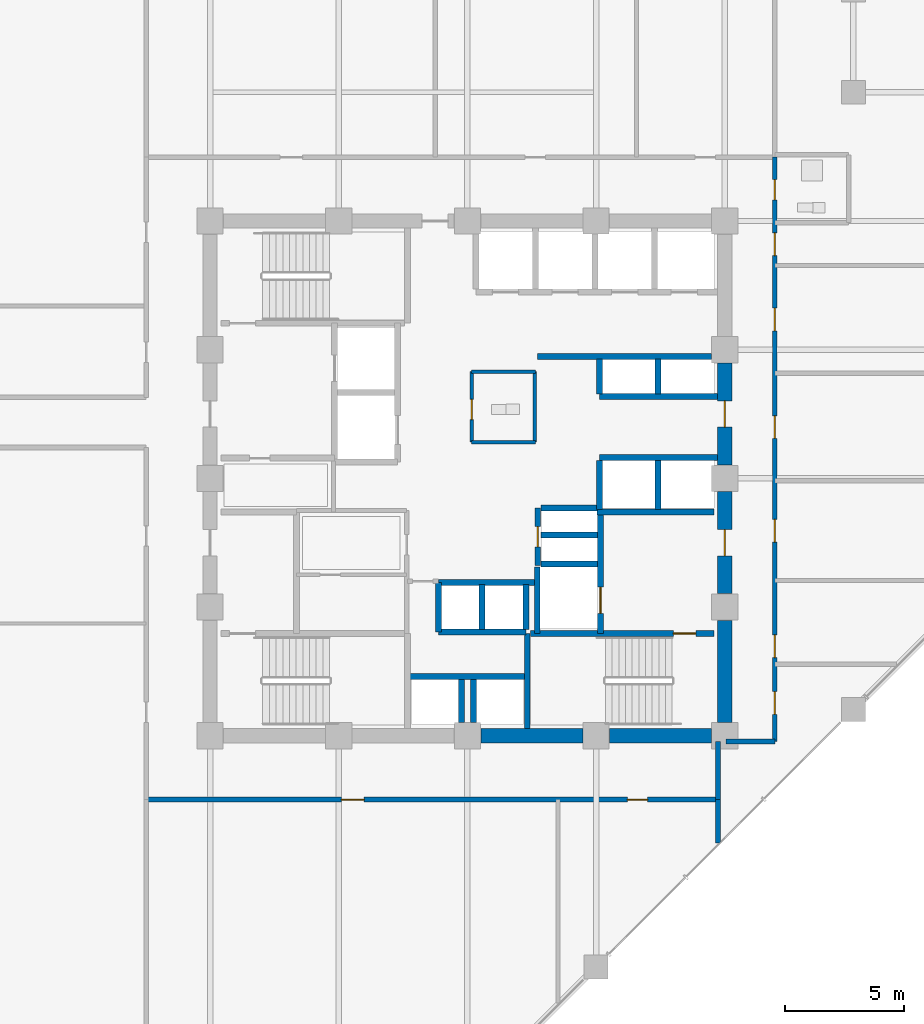
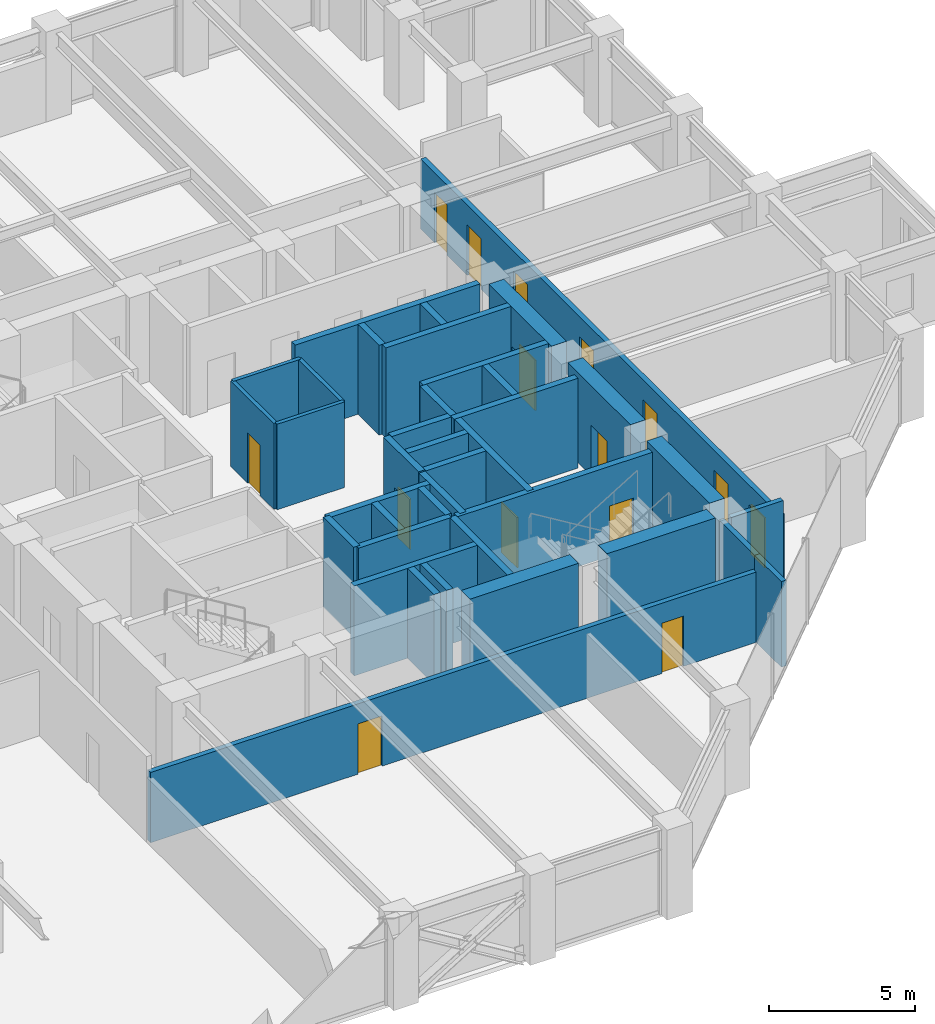
# One storey, part 20 of 26: 38 walls, 15 doors, 15 openings.
"""IFC4 building model written with IfcOpenShell, lengths in metres."""

from ifc_helpers import new_model, si_unit, direction, frame, frame_2d, origin, place, context, subcontext, project, spatial, rectangle, extrude, material, layer, layer_set, type_object, element, fill, save


model = new_model("IFC4")

# Units and contexts
model_context = context("Model", 3, precision=1e-05, world=origin(), true_north=direction((0.0, 1.0)))
body_context = subcontext(model_context, "Body", "Model", "MODEL_VIEW")
ifc_project = project(units=[si_unit("LENGTHUNIT", "METRE"), si_unit("AREAUNIT", "SQUARE_METRE"), si_unit("VOLUMEUNIT", "CUBIC_METRE"), si_unit("PLANEANGLEUNIT", "RADIAN"), si_unit("MASSUNIT", "GRAM", prefix="KILO")], contexts=[model_context])

# Site, building, storey
site_placement = place(None, origin())
site = spatial("IfcSite", under=ifc_project, at=site_placement, CompositionType="ELEMENT")
building_placement = place(site_placement, origin())
building = spatial("IfcBuilding", under=site, at=building_placement, Name="Surkhivell Harbour Commons", CompositionType="ELEMENT")
storey_placement = place(building_placement, frame((0.0, 0.0, 143.25)))
storey = spatial("IfcBuildingStorey", under=building, at=storey_placement, Name="L37", CompositionType="ELEMENT", Elevation=143.25)

# Wall
ifc_material_1 = material(Name="Concrete C60/75", Category="concrete")
ifc_layer_1 = layer(ifc_material_1, 0.60009765625)
ifc_layer_set_1 = layer_set([ifc_layer_1], Name="Concrete C60/75")
wall_type_1 = type_object("IfcWallType", Name="WAL-CORE-600", PredefinedType="SHEAR", material=ifc_layer_set_1)
wall_1_placement = place(storey_placement, frame((10.800048828125, -10.239990234375, 0.0), z_axis=(0.0, 0.0, 1.0), x_axis=(0.0, 1.0, 0.0)))
element("IfcWall", 1, at=wall_1_placement, inside=storey, type_object=wall_type_1, Name="L37 Core Shear Wall East 1", PredefinedType="SHEAR", context=body_context, shape_type="SweptSolid", body=[
    extrude(rectangle(XDim=4.280029296875, YDim=0.60009765625, at=frame_2d((2.14013671875, 0.0))), origin(), (0.0, 0.0, 1.0), 3.75),
])

# Wall, opening, door
wall_2_placement = place(storey_placement, frame((10.800048828125, -4.840087890625, 0.0), z_axis=(0.0, 0.0, 1.0), x_axis=(0.0, 1.0, 0.0)))
wall_2 = element("IfcWall", 2, at=wall_2_placement, inside=storey, type_object=wall_type_1, Name="L37 Core Shear Wall East 2", PredefinedType="SHEAR", context=body_context, shape_type="SweptSolid", body=[
    extrude(rectangle(XDim=4.280029296875, YDim=0.60009765625, at=frame_2d((2.14013671875, 0.0))), origin(), (0.0, 0.0, 1.0), 3.75),
])
opening_1_placement = place(wall_2_placement, frame((1.590087890625, 0.0, 0.0)))
opening_1 = element("IfcOpeningElement", 3, at=opening_1_placement, cuts=wall_2, Name="Opening ID-1", PredefinedType="OPENING", context=body_context, shape_type="SweptSolid", body=[
    extrude(rectangle(XDim=1.10009765625, YDim=2.10009765625, at=frame_2d((0.550048828125, 1.050048828125))), frame((0.0, 0.31005859375, 0.0), z_axis=(0.0, -1.0, 0.0), x_axis=(1.0, 0.0, 0.0)), (0.0, 0.0, 1.0), 0.6201171875),
])
ifc_material_2 = material(Name="Hardwood-veneered fire-rated door leaf", Category="wood")
door_type_1 = type_object("IfcDoorType", Name="DOR-FD120-1100", OperationType="NOTDEFINED", PredefinedType="DOOR", material=ifc_material_2)
door_1_placement = place(opening_1_placement, origin())
door_1 = element("IfcDoor", 4, at=door_1_placement, inside=storey, type_object=door_type_1, Name="L37 Firefighting Lobby 2 Corridor Door", OperationType="SINGLE_SWING_RIGHT", OverallHeight=2.10009765625, OverallWidth=1.10009765625, PredefinedType="DOOR", context=body_context, shape_type="SweptSolid", body=[
    extrude(rectangle(XDim=1.10009765625, YDim=2.10009765625, at=frame_2d((0.550048828125, 1.050048828125))), frame((0.0, 0.02490234375, 0.0), z_axis=(0.0, -1.0, 0.0), x_axis=(1.0, 0.0, 0.0)), (0.0, 0.0, 1.0), 0.050048828125),
])
fill(opening_1, door_1)

# Wall
wall_3_placement = place(storey_placement, frame((0.56005859375, -10.800048828125, 0.0), z_axis=(0.0, 0.0, 1.0), x_axis=(1.0, 0.0, 0.0)))
element("IfcWall", 5, at=wall_3_placement, inside=storey, type_object=wall_type_1, Name="L37 Core Shear Wall South 3", PredefinedType="SHEAR", context=body_context, shape_type="SweptSolid", body=[
    extrude(rectangle(XDim=4.280029296875, YDim=0.60009765625, at=frame_2d((2.14013671875, 0.0))), origin(), (0.0, 0.0, 1.0), 3.75),
])

# Wall, opening, door
wall_4_placement = place(storey_placement, frame((10.800048828125, 0.56005859375, 0.0), z_axis=(0.0, 0.0, 1.0), x_axis=(0.0, 1.0, 0.0)))
wall_4 = element("IfcWall", 6, at=wall_4_placement, inside=storey, type_object=wall_type_1, Name="L37 Core Shear Wall East 3", PredefinedType="SHEAR", context=body_context, shape_type="SweptSolid", body=[
    extrude(rectangle(XDim=4.280029296875, YDim=0.60009765625, at=frame_2d((2.14013671875, 0.0))), origin(), (0.0, 0.0, 1.0), 3.75),
])
opening_2_placement = place(wall_4_placement, frame((1.590087890625, 0.0, 0.0)))
opening_2 = element("IfcOpeningElement", 7, at=opening_2_placement, cuts=wall_4, Name="Opening ID-2", PredefinedType="OPENING", context=body_context, shape_type="SweptSolid", body=[
    extrude(rectangle(XDim=1.10009765625, YDim=2.10009765625, at=frame_2d((0.550048828125, 1.050048828125))), frame((0.0, 0.31005859375, 0.0), z_axis=(0.0, -1.0, 0.0), x_axis=(1.0, 0.0, 0.0)), (0.0, 0.0, 1.0), 0.6201171875),
])
door_type_2 = type_object("IfcDoorType", Name="DOR-FD60-1100", OperationType="NOTDEFINED", PredefinedType="DOOR", material=ifc_material_2)
door_2_placement = place(opening_2_placement, origin())
door_2 = element("IfcDoor", 8, at=door_2_placement, inside=storey, type_object=door_type_2, Name="L37 Mid-Rise Lobby East Door", OperationType="SINGLE_SWING_LEFT", OverallHeight=2.10009765625, OverallWidth=1.10009765625, PredefinedType="DOOR", context=body_context, shape_type="SweptSolid", body=[
    extrude(rectangle(XDim=1.10009765625, YDim=2.10009765625, at=frame_2d((0.550048828125, 1.050048828125))), frame((0.0, 0.02490234375, 0.0), z_axis=(0.0, -1.0, 0.0), x_axis=(1.0, 0.0, 0.0)), (0.0, 0.0, 1.0), 0.050048828125),
])
fill(opening_2, door_2)

# Walls
wall_5_placement = place(storey_placement, frame((5.9599609375, -10.800048828125, 0.0), z_axis=(0.0, 0.0, 1.0), x_axis=(1.0, 0.0, 0.0)))
element("IfcWall", 9, at=wall_5_placement, inside=storey, type_object=wall_type_1, Name="L37 Core Shear Wall South 4", PredefinedType="SHEAR", context=body_context, shape_type="SweptSolid", body=[
    extrude(rectangle(XDim=4.280029296875, YDim=0.60009765625, at=frame_2d((2.14013671875, 0.0))), origin(), (0.0, 0.0, 1.0), 3.75),
])
ifc_material_3 = material(Name="Twin-stud acoustic fireboard partition", Category="other")
ifc_layer_2 = layer(ifc_material_3, 0.14990234375)
ifc_layer_set_2 = layer_set([ifc_layer_2], Name="Twin-stud acoustic fireboard partition")
wall_type_2 = type_object("IfcWallType", Name="WAL-INT-150", PredefinedType="PARTITIONING", material=ifc_layer_set_2)
wall_6_placement = place(storey_placement, frame((2.820068359375, 1.52001953125, 0.0), z_axis=(0.0, 0.0, 1.0), x_axis=(0.0, 1.0, 0.0)))
element("IfcWall", 10, at=wall_6_placement, inside=storey, type_object=wall_type_2, Name="L37 Core Accessible WC East Wall", PredefinedType="PARTITIONING", context=body_context, shape_type="SweptSolid", body=[
    extrude(rectangle(XDim=2.9599609375, YDim=0.14990234375, at=frame_2d((1.47998046875, 0.0))), origin(), (0.0, 0.0, 1.0), 3.570068359375),
])
for number, where, z_axis, x_axis, name in (
    (11, (0.179931640625, 4.47998046875, 0.0), (0.0, 0.0, 1.0), (1.0, 0.0, 0.0), "L37 Core Accessible WC North Wall"),
    (12, (0.179931640625, 1.52001953125, 0.0), (0.0, 0.0, 1.0), (1.0, 0.0, 0.0), "L37 Core Accessible WC South Wall"),
):
    element("IfcWall", number, at=place(storey_placement, frame(where, z_axis=z_axis, x_axis=x_axis)), inside=storey, type_object=wall_type_2, Name=name, PredefinedType="PARTITIONING", context=body_context, shape_type="SweptSolid", body=[
        extrude(rectangle(XDim=2.670166015625, YDim=0.14990234375, at=frame_2d((1.3349609375, 0.0))), origin(), (0.0, 0.0, 1.0), 3.570068359375),
    ])

# Wall, opening, door
wall_7_placement = place(storey_placement, frame((0.179931640625, 1.52001953125, 0.0), z_axis=(0.0, 0.0, 1.0), x_axis=(0.0, 1.0, 0.0)))
wall_7 = element("IfcWall", 13, at=wall_7_placement, inside=storey, type_object=wall_type_2, Name="L37 Core Accessible WC West Wall", PredefinedType="PARTITIONING", context=body_context, shape_type="SweptSolid", body=[
    extrude(rectangle(XDim=2.9599609375, YDim=0.14990234375, at=frame_2d((1.47998046875, 0.0))), origin(), (0.0, 0.0, 1.0), 3.570068359375),
])
opening_3_placement = place(wall_7_placement, frame((0.949951171875, 0.0, 0.0)))
opening_3 = element("IfcOpeningElement", 14, at=opening_3_placement, cuts=wall_7, Name="Opening ID-6", PredefinedType="OPENING", context=body_context, shape_type="SweptSolid", body=[
    extrude(rectangle(XDim=0.85009765625, YDim=2.10009765625, at=frame_2d((0.425048828125, 1.050048828125))), frame((0.0, 0.0849609375, 0.0), z_axis=(0.0, -1.0, 0.0), x_axis=(1.0, 0.0, 0.0)), (0.0, 0.0, 1.0), 0.169921875),
])
door_type_3 = type_object("IfcDoorType", Name="DOR-FD30-850", OperationType="NOTDEFINED", PredefinedType="DOOR", material=ifc_material_2)
door_3_placement = place(opening_3_placement, origin())
door_3 = element("IfcDoor", 15, at=door_3_placement, inside=storey, type_object=door_type_3, Name="L37 Floor Accessible WC Door", OperationType="SINGLE_SWING_RIGHT", OverallHeight=2.10009765625, OverallWidth=0.85009765625, PredefinedType="DOOR", context=body_context, shape_type="SweptSolid", body=[
    extrude(rectangle(XDim=0.85009765625, YDim=2.10009765625, at=frame_2d((0.425048828125, 1.050048828125))), frame((0.0, 0.02490234375, 0.0), z_axis=(0.0, -1.0, 0.0), x_axis=(1.0, 0.0, 0.0)), (0.0, 0.0, 1.0), 0.050048828125),
])
fill(opening_3, door_3)

# Wall
ifc_material_4 = material(Name="Autoclaved aerated concrete blockwork and fire plaster", Category="masonry")
ifc_layer_3 = layer(ifc_material_4, 0.199951171875)
ifc_layer_set_3 = layer_set([ifc_layer_3], Name="Autoclaved aerated concrete blockwork and fire plaster")
wall_type_3 = type_object("IfcWallType", Name="WAL-INT-200", PredefinedType="PARTITIONING", material=ifc_layer_set_3)
wall_8_placement = place(storey_placement, frame((10.52001953125, -15.295166015625, 0.0), z_axis=(0.0, 0.0, 1.0), x_axis=(0.0, 1.0, 0.0)))
element("IfcWall", 16, at=wall_8_placement, inside=storey, type_object=wall_type_3, Name="L37 South-East Wing Corner Divider", PredefinedType="PARTITIONING", context=body_context, shape_type="SweptSolid", body=[
    extrude(rectangle(XDim=1.815185546875, YDim=0.199951171875, at=frame_2d((0.90771484375, 0.0))), origin(), (0.0, 0.0, 1.0), 3.570068359375),
])

# Wall, openings, doors
wall_9_placement = place(storey_placement, frame((12.89990234375, -11.0400390625, 0.0), z_axis=(0.0, 0.0, 1.0), x_axis=(0.0, 1.0, 0.0)))
wall_9 = element("IfcWall", 17, at=wall_9_placement, inside=storey, type_object=wall_type_3, Name="L37 Corridor East Wall", PredefinedType="PARTITIONING", context=body_context, shape_type="SweptSolid", body=[
    extrude(rectangle(XDim=24.52001953125, YDim=0.199951171875, at=frame_2d((12.260009765625, 0.0))), origin(), (0.0, 0.0, 1.0), 2.93310546875),
])
opening_4_placement = place(wall_9_placement, frame((1.139892578125, 0.0, 0.0)))
opening_4 = element("IfcOpeningElement", 18, at=opening_4_placement, cuts=wall_9, Name="Opening ID-4", PredefinedType="OPENING", context=body_context, shape_type="SweptSolid", body=[
    extrude(rectangle(XDim=0.949951171875, YDim=2.10009765625, at=frame_2d((0.47509765625, 1.050048828125))), frame((0.0, 0.10986328125, 0.0), z_axis=(0.0, -1.0, 0.0), x_axis=(1.0, 0.0, 0.0)), (0.0, 0.0, 1.0), 0.219970703125),
])
opening_5_placement = place(wall_9_placement, frame((22.72509765625, 0.0, 0.0)))
opening_5 = element("IfcOpeningElement", 19, at=opening_5_placement, cuts=wall_9, Name="Opening ID-6", PredefinedType="OPENING", context=body_context, shape_type="SweptSolid", body=[
    extrude(rectangle(XDim=0.85009765625, YDim=2.10009765625, at=frame_2d((0.425048828125, 1.050048828125))), frame((0.0, 0.10986328125, 0.0), z_axis=(0.0, -1.0, 0.0), x_axis=(1.0, 0.0, 0.0)), (0.0, 0.0, 1.0), 0.219970703125),
])
opening_6_placement = place(wall_9_placement, frame((20.389892578125, 0.0, 0.0)))
opening_6 = element("IfcOpeningElement", 20, at=opening_6_placement, cuts=wall_9, Name="Opening ID-4", PredefinedType="OPENING", context=body_context, shape_type="SweptSolid", body=[
    extrude(rectangle(XDim=0.949951171875, YDim=2.10009765625, at=frame_2d((0.47509765625, 1.050048828125))), frame((0.0, 0.10986328125, 0.0), z_axis=(0.0, -1.0, 0.0), x_axis=(1.0, 0.0, 0.0)), (0.0, 0.0, 1.0), 0.219970703125),
])
opening_7_placement = place(wall_9_placement, frame((3.52001953125, 0.0, 0.0)))
opening_7 = element("IfcOpeningElement", 21, at=opening_7_placement, cuts=wall_9, Name="Opening ID-4", PredefinedType="OPENING", context=body_context, shape_type="SweptSolid", body=[
    extrude(rectangle(XDim=0.949951171875, YDim=2.10009765625, at=frame_2d((0.47509765625, 1.050048828125))), frame((0.0, 0.10986328125, 0.0), z_axis=(0.0, -1.0, 0.0), x_axis=(1.0, 0.0, 0.0)), (0.0, 0.0, 1.0), 0.219970703125),
])
opening_8_placement = place(wall_9_placement, frame((8.364990234375, 0.0, 0.0)))
opening_8 = element("IfcOpeningElement", 22, at=opening_8_placement, cuts=wall_9, Name="Opening ID-4", PredefinedType="OPENING", context=body_context, shape_type="SweptSolid", body=[
    extrude(rectangle(XDim=0.949951171875, YDim=2.10009765625, at=frame_2d((0.47509765625, 1.050048828125))), frame((0.0, 0.10986328125, 0.0), z_axis=(0.0, -1.0, 0.0), x_axis=(1.0, 0.0, 0.0)), (0.0, 0.0, 1.0), 0.219970703125),
])
opening_9_placement = place(wall_9_placement, frame((12.715087890625, 0.0, 0.0)))
opening_9 = element("IfcOpeningElement", 23, at=opening_9_placement, cuts=wall_9, Name="Opening ID-4", PredefinedType="OPENING", context=body_context, shape_type="SweptSolid", body=[
    extrude(rectangle(XDim=0.949951171875, YDim=2.10009765625, at=frame_2d((0.47509765625, 1.050048828125))), frame((0.0, 0.10986328125, 0.0), z_axis=(0.0, -1.0, 0.0), x_axis=(1.0, 0.0, 0.0)), (0.0, 0.0, 1.0), 0.219970703125),
])
opening_10_placement = place(wall_9_placement, frame((17.22998046875, 0.0, 0.0)))
opening_10 = element("IfcOpeningElement", 24, at=opening_10_placement, cuts=wall_9, Name="Opening ID-4", PredefinedType="OPENING", context=body_context, shape_type="SweptSolid", body=[
    extrude(rectangle(XDim=0.949951171875, YDim=2.10009765625, at=frame_2d((0.47509765625, 1.050048828125))), frame((0.0, 0.10986328125, 0.0), z_axis=(0.0, -1.0, 0.0), x_axis=(1.0, 0.0, 0.0)), (0.0, 0.0, 1.0), 0.219970703125),
])
door_4_placement = place(opening_5_placement, origin())
door_4 = element("IfcDoor", 25, at=door_4_placement, inside=storey, type_object=door_type_3, Name="L37 Communal Shower Bathroom East Door", OperationType="SINGLE_SWING_RIGHT", OverallHeight=2.10009765625, OverallWidth=0.85009765625, PredefinedType="DOOR", context=body_context, shape_type="SweptSolid", body=[
    extrude(rectangle(XDim=0.85009765625, YDim=2.10009765625, at=frame_2d((0.425048828125, 1.050048828125))), frame((0.0, 0.02490234375, 0.0), z_axis=(0.0, -1.0, 0.0), x_axis=(1.0, 0.0, 0.0)), (0.0, 0.0, 1.0), 0.050048828125),
])
fill(opening_5, door_4)
door_type_4 = type_object("IfcDoorType", Name="DOR-FD60-950", OperationType="NOTDEFINED", PredefinedType="DOOR", material=ifc_material_2)
door_5_placement = place(opening_4_placement, origin())
door_5 = element("IfcDoor", 26, at=door_5_placement, inside=storey, type_object=door_type_4, Name="L37 Shared Communal Kitchen East Door", OperationType="SINGLE_SWING_LEFT", OverallHeight=2.10009765625, OverallWidth=0.949951171875, PredefinedType="DOOR", context=body_context, shape_type="SweptSolid", body=[
    extrude(rectangle(XDim=0.949951171875, YDim=2.10009765625, at=frame_2d((0.47509765625, 1.050048828125))), frame((0.0, 0.02490234375, 0.0), z_axis=(0.0, -1.0, 0.0), x_axis=(1.0, 0.0, 0.0)), (0.0, 0.0, 1.0), 0.050048828125),
])
fill(opening_4, door_5)
door_6_placement = place(opening_6_placement, origin())
door_6 = element("IfcDoor", 27, at=door_6_placement, inside=storey, type_object=door_type_4, Name="L37 Academic Reading Commons East Door", OperationType="SINGLE_SWING_LEFT", OverallHeight=2.10009765625, OverallWidth=0.949951171875, PredefinedType="DOOR", context=body_context, shape_type="SweptSolid", body=[
    extrude(rectangle(XDim=0.949951171875, YDim=2.10009765625, at=frame_2d((0.47509765625, 1.050048828125))), frame((0.0, 0.02490234375, 0.0), z_axis=(0.0, -1.0, 0.0), x_axis=(1.0, 0.0, 0.0)), (0.0, 0.0, 1.0), 0.050048828125),
])
fill(opening_6, door_6)
door_7_placement = place(opening_7_placement, origin())
door_7 = element("IfcDoor", 28, at=door_7_placement, inside=storey, type_object=door_type_4, Name="L37 Hostel Cluster Bedroom 1 East Door", OperationType="SINGLE_SWING_RIGHT", OverallHeight=2.10009765625, OverallWidth=0.949951171875, PredefinedType="DOOR", context=body_context, shape_type="SweptSolid", body=[
    extrude(rectangle(XDim=0.949951171875, YDim=2.10009765625, at=frame_2d((0.47509765625, 1.050048828125))), frame((0.0, 0.02490234375, 0.0), z_axis=(0.0, -1.0, 0.0), x_axis=(1.0, 0.0, 0.0)), (0.0, 0.0, 1.0), 0.050048828125),
])
fill(opening_7, door_7)
door_8_placement = place(opening_8_placement, origin())
door_8 = element("IfcDoor", 29, at=door_8_placement, inside=storey, type_object=door_type_4, Name="L37 Co-Living Dormitory Bedroom 2 East Door", OperationType="SINGLE_SWING_LEFT", OverallHeight=2.10009765625, OverallWidth=0.949951171875, PredefinedType="DOOR", context=body_context, shape_type="SweptSolid", body=[
    extrude(rectangle(XDim=0.949951171875, YDim=2.10009765625, at=frame_2d((0.47509765625, 1.050048828125))), frame((0.0, 0.02490234375, 0.0), z_axis=(0.0, -1.0, 0.0), x_axis=(1.0, 0.0, 0.0)), (0.0, 0.0, 1.0), 0.050048828125),
])
fill(opening_8, door_8)
door_9_placement = place(opening_9_placement, origin())
door_9 = element("IfcDoor", 30, at=door_9_placement, inside=storey, type_object=door_type_4, Name="L37 Hostel Cluster Bedroom 3 East Door", OperationType="SINGLE_SWING_RIGHT", OverallHeight=2.10009765625, OverallWidth=0.949951171875, PredefinedType="DOOR", context=body_context, shape_type="SweptSolid", body=[
    extrude(rectangle(XDim=0.949951171875, YDim=2.10009765625, at=frame_2d((0.47509765625, 1.050048828125))), frame((0.0, 0.02490234375, 0.0), z_axis=(0.0, -1.0, 0.0), x_axis=(1.0, 0.0, 0.0)), (0.0, 0.0, 1.0), 0.050048828125),
])
fill(opening_9, door_9)
door_10_placement = place(opening_10_placement, origin())
door_10 = element("IfcDoor", 31, at=door_10_placement, inside=storey, type_object=door_type_4, Name="L37 Co-Living Dormitory Bedroom 4 East Door", OperationType="SINGLE_SWING_LEFT", OverallHeight=2.10009765625, OverallWidth=0.949951171875, PredefinedType="DOOR", context=body_context, shape_type="SweptSolid", body=[
    extrude(rectangle(XDim=0.949951171875, YDim=2.10009765625, at=frame_2d((0.47509765625, 1.050048828125))), frame((0.0, 0.02490234375, 0.0), z_axis=(0.0, -1.0, 0.0), x_axis=(1.0, 0.0, 0.0)), (0.0, 0.0, 1.0), 0.050048828125),
])
fill(opening_10, door_10)

# Wall
wall_10_placement = place(storey_placement, frame((10.85009765625, -11.0400390625, 0.0), z_axis=(0.0, 0.0, 1.0), x_axis=(1.0, 0.0, 0.0)))
element("IfcWall", 32, at=wall_10_placement, inside=storey, type_object=wall_type_3, Name="L37 Corridor East South Closure Wall", PredefinedType="PARTITIONING", context=body_context, shape_type="SweptSolid", body=[
    extrude(rectangle(XDim=2.0498046875, YDim=0.199951171875, at=frame_2d((1.02490234375, 0.0))), origin(), (0.0, 0.0, 1.0), 3.570068359375),
])

# Wall, openings, doors
wall_11_placement = place(storey_placement, frame((-13.47998046875, -13.47998046875, 0.0), z_axis=(0.0, 0.0, 1.0), x_axis=(1.0, 0.0, 0.0)))
wall_11 = element("IfcWall", 33, at=wall_11_placement, inside=storey, type_object=wall_type_3, Name="L37 Corridor South Wall", PredefinedType="PARTITIONING", context=body_context, shape_type="SweptSolid", body=[
    extrude(rectangle(XDim=24.0, YDim=0.199951171875, at=frame_2d((12.0, 0.0))), origin(), (0.0, 0.0, 1.0), 2.93310546875),
])
opening_11_placement = place(wall_11_placement, frame((8.18994140625, 0.0, 0.0)))
opening_11 = element("IfcOpeningElement", 34, at=opening_11_placement, cuts=wall_11, Name="Opening ID-4", PredefinedType="OPENING", context=body_context, shape_type="SweptSolid", body=[
    extrude(rectangle(XDim=0.949951171875, YDim=2.10009765625, at=frame_2d((0.47509765625, 1.050048828125))), frame((0.0, 0.10986328125, 0.0), z_axis=(0.0, -1.0, 0.0), x_axis=(1.0, 0.0, 0.0)), (0.0, 0.0, 1.0), 0.219970703125),
])
opening_12_placement = place(wall_11_placement, frame((20.18994140625, 0.0, 0.0)))
opening_12 = element("IfcOpeningElement", 35, at=opening_12_placement, cuts=wall_11, Name="Opening ID-6", PredefinedType="OPENING", context=body_context, shape_type="SweptSolid", body=[
    extrude(rectangle(XDim=0.85009765625, YDim=2.10009765625, at=frame_2d((0.425048828125, 1.050048828125))), frame((0.0, 0.10986328125, 0.0), z_axis=(0.0, -1.0, 0.0), x_axis=(1.0, 0.0, 0.0)), (0.0, 0.0, 1.0), 0.219970703125),
])
door_11_placement = place(opening_12_placement, origin())
door_11 = element("IfcDoor", 36, at=door_11_placement, inside=storey, type_object=door_type_3, Name="L37 Resident Advisory Reception Desk South Door", OperationType="SINGLE_SWING_LEFT", OverallHeight=2.10009765625, OverallWidth=0.85009765625, PredefinedType="DOOR", context=body_context, shape_type="SweptSolid", body=[
    extrude(rectangle(XDim=0.85009765625, YDim=2.10009765625, at=frame_2d((0.425048828125, 1.050048828125))), frame((0.0, 0.02490234375, 0.0), z_axis=(0.0, -1.0, 0.0), x_axis=(1.0, 0.0, 0.0)), (0.0, 0.0, 1.0), 0.050048828125),
])
fill(opening_12, door_11)
door_12_placement = place(opening_11_placement, origin())
door_12 = element("IfcDoor", 37, at=door_12_placement, inside=storey, type_object=door_type_4, Name="L37 Zone Concierge Reception Foyer South Door", OperationType="SINGLE_SWING_RIGHT", OverallHeight=2.10009765625, OverallWidth=0.949951171875, PredefinedType="DOOR", context=body_context, shape_type="SweptSolid", body=[
    extrude(rectangle(XDim=0.949951171875, YDim=2.10009765625, at=frame_2d((0.47509765625, 1.050048828125))), frame((0.0, 0.02490234375, 0.0), z_axis=(0.0, -1.0, 0.0), x_axis=(1.0, 0.0, 0.0)), (0.0, 0.0, 1.0), 0.050048828125),
])
fill(opening_11, door_12)

# Walls
wall_12_placement = place(storey_placement, frame((10.52001953125, -13.47998046875, 0.0), z_axis=(0.0, 0.0, 1.0), x_axis=(0.0, 1.0, 0.0)))
element("IfcWall", 38, at=wall_12_placement, inside=storey, type_object=wall_type_3, Name="L37 Corridor SE Closure Wall", PredefinedType="PARTITIONING", context=body_context, shape_type="SweptSolid", body=[
    extrude(rectangle(XDim=2.43994140625, YDim=0.199951171875, at=frame_2d((1.219970703125, 0.0))), origin(), (0.0, 0.0, 1.0), 3.570068359375),
])
ifc_material_5 = material(Name="Concrete C50/60", Category="concrete")
ifc_layer_4 = layer(ifc_material_5, 0.25)
ifc_layer_set_4 = layer_set([ifc_layer_4], Name="Concrete C50/60")
wall_type_4 = type_object("IfcWallType", Name="WAL-SHAFT-250", PredefinedType="SHEAR", material=ifc_layer_set_4)
wall_13_placement = place(storey_placement, frame((2.929931640625, -6.510009765625, 0.0), z_axis=(0.0, 0.0, 1.0), x_axis=(0.0, 1.0, 0.0)))
element("IfcWall", 39, at=wall_13_placement, inside=storey, type_object=wall_type_4, Name="L37 FFL2 West Shaft Wall", PredefinedType="SHEAR", context=body_context, shape_type="SweptSolid", body=[
    extrude(rectangle(XDim=2.7900390625, YDim=0.25, at=frame_2d((1.39501953125, 0.0))), origin(), (0.0, 0.0, 1.0), 3.75),
])
wall_14_placement = place(storey_placement, frame((5.43994140625, -1.419921875, 0.0), z_axis=(0.0, 0.0, 1.0), x_axis=(1.0, 0.0, 0.0)))
element("IfcWall", 40, at=wall_14_placement, inside=storey, type_object=wall_type_4, Name="L37 Firefighting Lobby 2 North Wall", PredefinedType="SHEAR", context=body_context, shape_type="SweptSolid", body=[
    extrude(rectangle(XDim=4.900146484375, YDim=0.25, at=frame_2d((2.4501953125, 0.0))), origin(), (0.0, 0.0, 1.0), 3.75),
])
wall_15_placement = place(storey_placement, frame((3.080078125, -3.60009765625, 0.0), z_axis=(0.0, 0.0, 1.0), x_axis=(1.0, 0.0, 0.0)))
element("IfcWall", 41, at=wall_15_placement, inside=storey, type_object=wall_type_4, Name="L37 FFL2 North Shaft Wall", PredefinedType="SHEAR", context=body_context, shape_type="SweptSolid", body=[
    extrude(rectangle(XDim=2.369873046875, YDim=0.25, at=frame_2d((1.18505859375, 0.0))), origin(), (0.0, 0.0, 1.0), 3.75),
])

# Wall, opening, door
wall_16_placement = place(storey_placement, frame((5.580078125, -6.510009765625, 0.0), z_axis=(0.0, 0.0, 1.0), x_axis=(0.0, 1.0, 0.0)))
wall_16 = element("IfcWall", 42, at=wall_16_placement, inside=storey, type_object=wall_type_4, Name="L37 Firefighting Lobby 2 West Shaft Wall", PredefinedType="SHEAR", context=body_context, shape_type="SweptSolid", body=[
    extrude(rectangle(XDim=5.090087890625, YDim=0.25, at=frame_2d((2.544921875, 0.0))), origin(), (0.0, 0.0, 1.0), 3.75),
])
opening_13_placement = place(wall_16_placement, frame((0.85009765625, 0.0, 0.0)))
opening_13 = element("IfcOpeningElement", 43, at=opening_13_placement, cuts=wall_16, Name="Opening LD-1", PredefinedType="OPENING", context=body_context, shape_type="SweptSolid", body=[
    extrude(rectangle(XDim=1.10009765625, YDim=2.10009765625, at=frame_2d((0.550048828125, 1.050048828125))), frame((0.0, 0.135009765625, 0.0), z_axis=(0.0, -1.0, 0.0), x_axis=(1.0, 0.0, 0.0)), (0.0, 0.0, 1.0), 0.27001953125),
])
ifc_material_6 = material(Name="Brushed stainless steel S355", Category="steel")
door_type_5 = type_object("IfcDoorType", Name="DOR-LD-1100", OperationType="SLIDING_TO_LEFT", PredefinedType="DOOR", material=ifc_material_6)
door_13_placement = place(opening_13_placement, origin())
door_13 = element("IfcDoor", 44, at=door_13_placement, inside=storey, type_object=door_type_5, Name="L37 Lift Landing Door LD-FFL2", OperationType="SLIDING_TO_RIGHT", OverallHeight=2.10009765625, OverallWidth=1.10009765625, PredefinedType="DOOR", context=body_context, shape_type="SweptSolid", body=[
    extrude(rectangle(XDim=1.10009765625, YDim=2.10009765625, at=frame_2d((0.550048828125, 1.050048828125))), frame((0.0, 0.02490234375, 0.0), z_axis=(0.0, -1.0, 0.0), x_axis=(1.0, 0.0, 0.0)), (0.0, 0.0, 1.0), 0.050048828125),
])
fill(opening_13, door_13)

# Walls
for number, where, z_axis, x_axis, name in (
    (45, (0.6201171875, -6.340087890625, 0.0), (0.0, 0.0, 1.0), (0.0, 1.0, 0.0), "L37 High-Rise Side Wall N"),
    (46, (2.449951171875, -6.340087890625, 0.0), (0.0, 0.0, 1.0), (0.0, 1.0, 0.0), "L37 High-Rise Side Wall N"),
):
    element("IfcWall", number, at=place(storey_placement, frame(where, z_axis=z_axis, x_axis=x_axis)), inside=storey, type_object=wall_type_4, Name=name, PredefinedType="SHEAR", context=body_context, shape_type="SweptSolid", body=[
        extrude(rectangle(XDim=1.880126953125, YDim=0.25, at=frame_2d((0.93994140625, 0.0))), origin(), (0.0, 0.0, 1.0), 3.75),
    ])
for number, where, z_axis, x_axis, name in (
    (47, (-0.25, -10.25, 0.0), (0.0, 0.0, 1.0), (0.0, 1.0, 0.0), "L37 High-Rise Side Wall S"),
    (48, (0.25, -10.25, 0.0), (0.0, 0.0, 1.0), (0.0, 1.0, 0.0), "L37 High-Rise Side Wall S"),
):
    element("IfcWall", number, at=place(storey_placement, frame(where, z_axis=z_axis, x_axis=x_axis)), inside=storey, type_object=wall_type_4, Name=name, PredefinedType="SHEAR", context=body_context, shape_type="SweptSolid", body=[
        extrude(rectangle(XDim=1.81005859375, YDim=0.25, at=frame_2d((0.905029296875, 0.0))), origin(), (0.0, 0.0, 1.0), 3.75),
    ])
wall_17_placement = place(storey_placement, frame((-1.219970703125, -6.43994140625, 0.0), z_axis=(0.0, 0.0, 1.0), x_axis=(0.0, 1.0, 0.0)))
element("IfcWall", 49, at=wall_17_placement, inside=storey, type_object=wall_type_4, Name="L37 High-Rise Passage East Shaft Wall", PredefinedType="SHEAR", context=body_context, shape_type="SweptSolid", body=[
    extrude(rectangle(XDim=2.079833984375, YDim=0.25, at=frame_2d((1.0400390625, 0.0))), origin(), (0.0, 0.0, 1.0), 3.75),
])
wall_18_placement = place(storey_placement, frame((-1.219970703125, -6.43994140625, 0.0), z_axis=(0.0, 0.0, 1.0), x_axis=(1.0, 0.0, 0.0)))
element("IfcWall", 50, at=wall_18_placement, inside=storey, type_object=wall_type_4, Name="L37 High-Rise North Front Shaft Wall", PredefinedType="SHEAR", context=body_context, shape_type="SweptSolid", body=[
    extrude(rectangle(XDim=3.669921875, YDim=0.25, at=frame_2d((1.8349609375, 0.0))), origin(), (0.0, 0.0, 1.0), 3.75),
])
wall_19_placement = place(storey_placement, frame((-2.47998046875, -8.320068359375, 0.0), z_axis=(0.0, 0.0, 1.0), x_axis=(1.0, 0.0, 0.0)))
element("IfcWall", 51, at=wall_19_placement, inside=storey, type_object=wall_type_4, Name="L37 High-Rise South Front Shaft Wall", PredefinedType="SHEAR", context=body_context, shape_type="SweptSolid", body=[
    extrude(rectangle(XDim=4.929931640625, YDim=0.25, at=frame_2d((2.46484375, 0.0))), origin(), (0.0, 0.0, 1.0), 3.75),
])
wall_20_placement = place(storey_placement, frame((-1.219970703125, -4.360107421875, 0.0), z_axis=(0.0, 0.0, 1.0), x_axis=(1.0, 0.0, 0.0)))
element("IfcWall", 52, at=wall_20_placement, inside=storey, type_object=wall_type_4, Name="L37 High-Rise North Back Shaft Wall", PredefinedType="SHEAR", context=body_context, shape_type="SweptSolid", body=[
    extrude(rectangle(XDim=4.030029296875, YDim=0.25, at=frame_2d((2.01513671875, 0.0))), origin(), (0.0, 0.0, 1.0), 3.75),
])
wall_21_placement = place(storey_placement, frame((2.949951171875, 5.1201171875, 0.0), z_axis=(0.0, 0.0, 1.0), x_axis=(1.0, 0.0, 0.0)))
element("IfcWall", 53, at=wall_21_placement, inside=storey, type_object=wall_type_4, Name="L37 Low-Rise Lobby South Wall", PredefinedType="SHEAR", context=body_context, shape_type="SweptSolid", body=[
    extrude(rectangle(XDim=7.300048828125, YDim=0.25, at=frame_2d((3.64990234375, 0.0))), origin(), (0.0, 0.0, 1.0), 3.75),
])
for number, where, z_axis, x_axis, name in (
    (54, (5.550048828125, 3.550048828125, 0.0), (0.0, 0.0, 1.0), (0.0, 1.0, 0.0), "L37 Mid-Rise Shaft Side Wall N"),
    (55, (8.0, 3.550048828125, 0.0), (0.0, 0.0, 1.0), (0.0, 1.0, 0.0), "L37 Mid-Rise Shaft Side Wall N"),
):
    element("IfcWall", number, at=place(storey_placement, frame(where, z_axis=z_axis, x_axis=x_axis)), inside=storey, type_object=wall_type_4, Name=name, PredefinedType="SHEAR", context=body_context, shape_type="SweptSolid", body=[
        extrude(rectangle(XDim=1.449951171875, YDim=0.25, at=frame_2d((0.72509765625, 0.0))), origin(), (0.0, 0.0, 1.0), 3.75),
    ])
for number, where, z_axis, x_axis, name in (
    (56, (5.550048828125, -1.300048828125, 0.0), (0.0, 0.0, 1.0), (0.0, 1.0, 0.0), "L37 Mid-Rise Shaft Side Wall S"),
    (57, (8.0, -1.300048828125, 0.0), (0.0, 0.0, 1.0), (0.0, 1.0, 0.0), "L37 Mid-Rise Shaft Side Wall S"),
):
    element("IfcWall", number, at=place(storey_placement, frame(where, z_axis=z_axis, x_axis=x_axis)), inside=storey, type_object=wall_type_4, Name=name, PredefinedType="SHEAR", context=body_context, shape_type="SweptSolid", body=[
        extrude(rectangle(XDim=2.0400390625, YDim=0.25, at=frame_2d((1.02001953125, 0.0))), origin(), (0.0, 0.0, 1.0), 3.75),
    ])
for number, where, z_axis, x_axis, name in (
    (58, (5.550048828125, 3.429931640625, 0.0), (0.0, 0.0, 1.0), (1.0, 0.0, 0.0), "L37 Mid-Rise North Front Shaft Wall"),
    (59, (5.550048828125, 0.8701171875, 0.0), (0.0, 0.0, 1.0), (1.0, 0.0, 0.0), "L37 Mid-Rise South Front Shaft Wall"),
):
    element("IfcWall", number, at=place(storey_placement, frame(where, z_axis=z_axis, x_axis=x_axis)), inside=storey, type_object=wall_type_4, Name=name, PredefinedType="SHEAR", context=body_context, shape_type="SweptSolid", body=[
        extrude(rectangle(XDim=4.949951171875, YDim=0.25, at=frame_2d((2.47509765625, 0.0))), origin(), (0.0, 0.0, 1.0), 3.75),
    ])
for number, where, z_axis, x_axis, name in (
    (60, (3.080078125, -2.3798828125, 0.0), (0.0, 0.0, 1.0), (1.0, 0.0, 0.0), "L37 Riser Divider Wall"),
    (61, (3.080078125, -1.25, 0.0), (0.0, 0.0, 1.0), (1.0, 0.0, 0.0), "L37 Riser North Wall"),
):
    element("IfcWall", number, at=place(storey_placement, frame(where, z_axis=z_axis, x_axis=x_axis)), inside=storey, type_object=wall_type_4, Name=name, PredefinedType="SHEAR", context=body_context, shape_type="SweptSolid", body=[
        extrude(rectangle(XDim=2.369873046875, YDim=0.25, at=frame_2d((1.18505859375, 0.0))), origin(), (0.0, 0.0, 1.0), 3.75),
    ])

# Wall, opening, door
wall_22_placement = place(storey_placement, frame((2.949951171875, -3.64990234375, 0.0), z_axis=(0.0, 0.0, 1.0), x_axis=(0.0, 1.0, 0.0)))
wall_22 = element("IfcWall", 62, at=wall_22_placement, inside=storey, type_object=wall_type_4, Name="L37 Riser Shaft West Wall", PredefinedType="SHEAR", context=body_context, shape_type="SweptSolid", body=[
    extrude(rectangle(XDim=2.39990234375, YDim=0.25, at=frame_2d((1.199951171875, 0.0))), origin(), (0.0, 0.0, 1.0), 3.75),
])
opening_14_placement = place(wall_22_placement, frame((0.77490234375, 0.0, 0.0)))
opening_14 = element("IfcOpeningElement", 63, at=opening_14_placement, cuts=wall_22, Name="Opening ID-6", PredefinedType="OPENING", context=body_context, shape_type="SweptSolid", body=[
    extrude(rectangle(XDim=0.85009765625, YDim=2.10009765625, at=frame_2d((0.425048828125, 1.050048828125))), frame((0.0, 0.135009765625, 0.0), z_axis=(0.0, -1.0, 0.0), x_axis=(1.0, 0.0, 0.0)), (0.0, 0.0, 1.0), 0.27001953125),
])
door_14_placement = place(opening_14_placement, origin())
door_14 = element("IfcDoor", 64, at=door_14_placement, inside=storey, type_object=door_type_3, Name="L37 Electrical Riser Access Door", OperationType="SINGLE_SWING_LEFT", OverallHeight=2.10009765625, OverallWidth=0.85009765625, PredefinedType="DOOR", context=body_context, shape_type="SweptSolid", body=[
    extrude(rectangle(XDim=0.85009765625, YDim=2.10009765625, at=frame_2d((0.425048828125, 1.050048828125))), frame((0.0, 0.02490234375, 0.0), z_axis=(0.0, -1.0, 0.0), x_axis=(1.0, 0.0, 0.0)), (0.0, 0.0, 1.0), 0.050048828125),
])
fill(opening_14, door_14)

wall_23_placement = place(storey_placement, frame((2.639892578125, -6.510009765625, 0.0), z_axis=(0.0, 0.0, 1.0), x_axis=(1.0, 0.0, 0.0)))
wall_23 = element("IfcWall", 65, at=wall_23_placement, inside=storey, type_object=wall_type_4, Name="L37 Stair ST2 North Shear Wall", PredefinedType="SHEAR", context=body_context, shape_type="SweptSolid", body=[
    extrude(rectangle(XDim=7.7001953125, YDim=0.25, at=frame_2d((3.85009765625, 0.0))), origin(), (0.0, 0.0, 1.0), 3.75),
])
opening_15_placement = place(wall_23_placement, frame((6.0, 0.0, 0.0)))
opening_15 = element("IfcOpeningElement", 66, at=opening_15_placement, cuts=wall_23, Name="Opening ID-4", PredefinedType="OPENING", context=body_context, shape_type="SweptSolid", body=[
    extrude(rectangle(XDim=0.949951171875, YDim=2.10009765625, at=frame_2d((0.47509765625, 1.050048828125))), frame((0.0, 0.135009765625, 0.0), z_axis=(0.0, -1.0, 0.0), x_axis=(1.0, 0.0, 0.0)), (0.0, 0.0, 1.0), 0.27001953125),
])
door_15_placement = place(opening_15_placement, origin())
door_15 = element("IfcDoor", 67, at=door_15_placement, inside=storey, type_object=door_type_4, Name="L37 Stair ST2 Exit Door", OperationType="SINGLE_SWING_RIGHT", OverallHeight=2.10009765625, OverallWidth=0.949951171875, PredefinedType="DOOR", context=body_context, shape_type="SweptSolid", body=[
    extrude(rectangle(XDim=0.949951171875, YDim=2.10009765625, at=frame_2d((0.47509765625, 1.050048828125))), frame((0.0, 0.02490234375, 0.0), z_axis=(0.0, -1.0, 0.0), x_axis=(1.0, 0.0, 0.0)), (0.0, 0.0, 1.0), 0.050048828125),
])
fill(opening_15, door_15)

# Wall
wall_24_placement = place(storey_placement, frame((2.510009765625, -10.5, 0.0), z_axis=(0.0, 0.0, 1.0), x_axis=(0.0, 1.0, 0.0)))
element("IfcWall", 68, at=wall_24_placement, inside=storey, type_object=wall_type_4, Name="L37 Stair ST2 West Shear Wall", PredefinedType="SHEAR", context=body_context, shape_type="SweptSolid", body=[
    extrude(rectangle(XDim=3.989990234375, YDim=0.25, at=frame_2d((1.9951171875, 0.0))), origin(), (0.0, 0.0, 1.0), 3.75),
])

save(model, "model.ifc")
